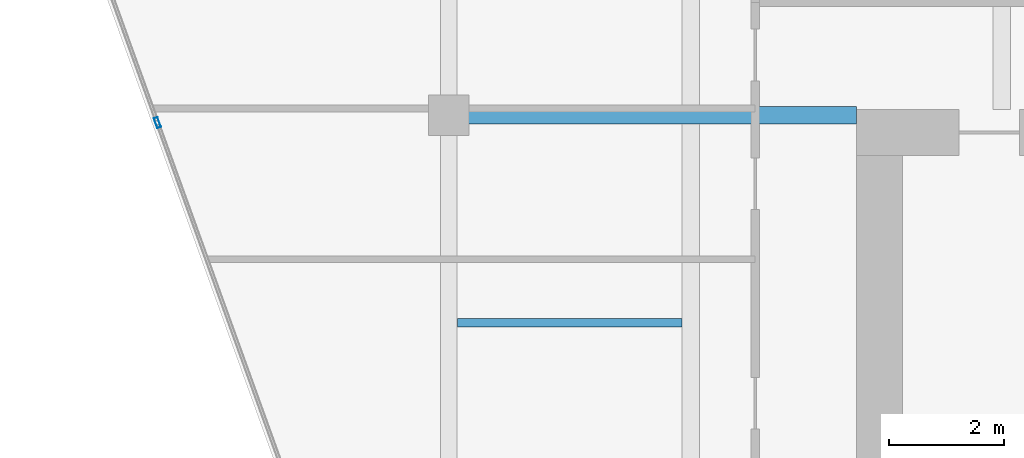
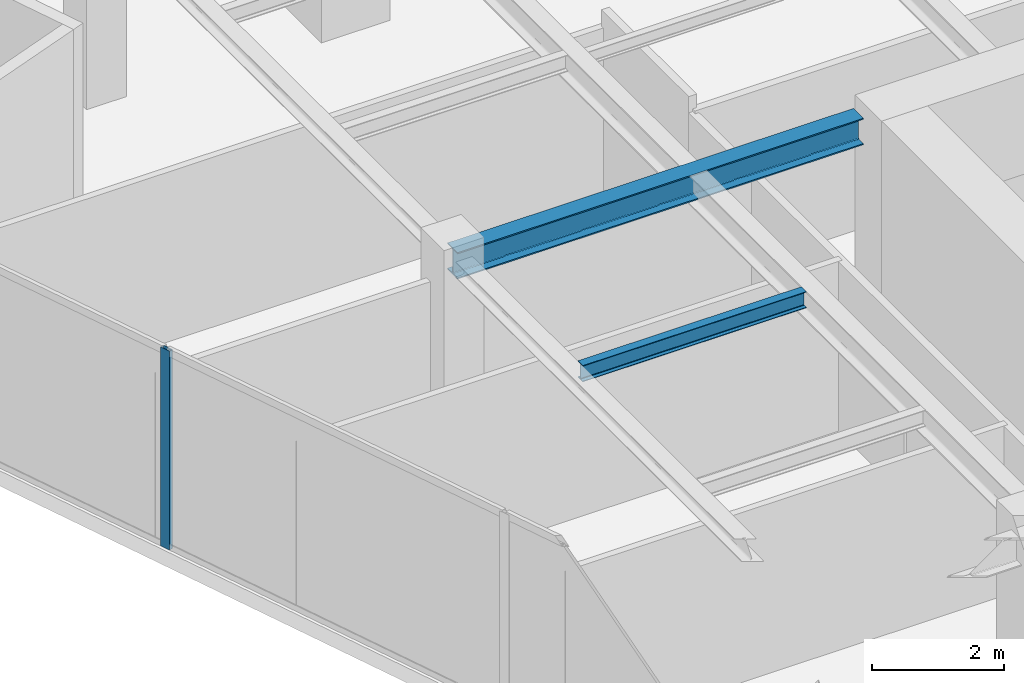
# One storey, part 5 of 21: 2 beams, 1 member, 1 element without a shape of its own.
"""IFC4 building model written with IfcOpenShell, lengths in metres."""

from ifc_helpers import new_model, si_unit, direction, frame, origin, origin_2d, place, context, subcontext, project, spatial, hollow_rectangle, i_section, extrude, source, transform, mapped, material, material_profile, profile_set, type_object, type_shapes, element, aggregate, save


model = new_model("IFC4")

# Units and contexts
model_context = context("Model", 3, precision=1e-05, world=origin(), true_north=direction((0.0, 1.0)))
body_context = subcontext(model_context, "Body", "Model", "MODEL_VIEW")
ifc_project = project(units=[si_unit("LENGTHUNIT", "METRE"), si_unit("AREAUNIT", "SQUARE_METRE"), si_unit("VOLUMEUNIT", "CUBIC_METRE"), si_unit("PLANEANGLEUNIT", "RADIAN"), si_unit("MASSUNIT", "GRAM", prefix="KILO")], contexts=[model_context])

# Site, building, storey
site_placement = place(None, origin())
site = spatial("IfcSite", under=ifc_project, at=site_placement, CompositionType="ELEMENT")
building_placement = place(site_placement, origin())
building = spatial("IfcBuilding", under=site, at=building_placement, Name="Krantzveldt Concourse Tower", CompositionType="ELEMENT")
storey_placement = place(building_placement, frame((0.0, 0.0, 335.60009765625)))
storey = spatial("IfcBuildingStorey", under=building, at=storey_placement, Name="L82", CompositionType="ELEMENT", Elevation=335.60009765625)

# Beams
ifc_material_1 = material(Name="Steel S355JR", Category="steel")
ifc_material_profile_1 = material_profile(ifc_material_1, i_section(OverallWidth=0.300048828125, OverallDepth=0.489990234375, WebThickness=0.011962890625, FlangeThickness=0.02294921875, FilletRadius=0.027099609375, at=origin_2d()), Name="Steel S355JR", Category="steel")
ifc_profile_set_1 = profile_set([ifc_material_profile_1], Name="Steel S355JR - HEA 500")
beam_type_1 = type_object("IfcBeamType", Name="BM-B-HEA500", PredefinedType="BEAM", material=ifc_profile_set_1)
shared_shape_1 = source(origin(), body_context, "Body", "SweptSolid", [
    extrude(i_section(OverallWidth=0.300048828125, OverallDepth=0.489990234375, WebThickness=0.011962890625, FlangeThickness=0.02294921875, FilletRadius=0.027099609375, at=origin_2d()), origin(), (0.0, 0.0, 1.0), 7.080078125),
])
type_shapes(beam_type_1, [shared_shape_1])
beam_1_placement = place(storey_placement, frame((21.0, 26.699951171875, 3.4248046875), z_axis=(1.0, 0.0, 0.0), x_axis=(0.0, 1.0, 0.0)))
element("IfcBeam", 1, at=beam_1_placement, inside=storey, type_object=beam_type_1, Name="L82 Tower Girder BG-CW2", PredefinedType="BEAM", context=body_context, shape_type="MappedRepresentation", body=[
    mapped(shared_shape_1, transform((0.0, 0.0, 0.0), x_axis=(1.0, 0.0, 0.0), y_axis=(0.0, 1.0, 0.0), z_axis=(0.0, 0.0, 1.0), scale=1.0)),
])
ifc_material_profile_2 = material_profile(ifc_material_1, i_section(OverallWidth=0.14990234375, OverallDepth=0.300048828125, WebThickness=0.007080078125, FlangeThickness=0.0107421875, FilletRadius=0.014892578125, at=origin_2d()), Name="Steel S355JR", Category="steel")
ifc_profile_set_2 = profile_set([ifc_material_profile_2], Name="Steel S355JR - IPE 300")
beam_type_2 = type_object("IfcBeamType", Name="BM-J-IPE300", PredefinedType="JOIST", material=ifc_profile_set_2)
shared_shape_2 = source(origin(), body_context, "Body", "SweptSolid", [
    extrude(i_section(OverallWidth=0.14990234375, OverallDepth=0.300048828125, WebThickness=0.007080078125, FlangeThickness=0.0107421875, FilletRadius=0.014892578125, at=origin_2d()), origin(), (0.0, 0.0, 1.0), 3.900146484375),
])
type_shapes(beam_type_2, [shared_shape_2])
beam_2_placement = place(storey_placement, frame((21.14990234375, 23.10009765625, 3.52001953125), z_axis=(1.0, 0.0, 0.0), x_axis=(0.0, 1.0, 0.0)))
element("IfcBeam", 2, at=beam_2_placement, inside=storey, type_object=beam_type_2, Name="L82 Secondary Floor Joist JW-2", PredefinedType="JOIST", context=body_context, shape_type="MappedRepresentation", body=[
    mapped(shared_shape_2, transform((0.0, 0.0, 0.0), x_axis=(1.0, 0.0, 0.0), y_axis=(0.0, 1.0, 0.0), z_axis=(0.0, 0.0, 1.0), scale=1.0)),
])

# Curtain wall, member
ifc_material_2 = material(Name="Anodised aluminium 6063-T6", Category="aluminium")
curtain_wall_type = type_object("IfcCurtainWallType", Name="CW4", PredefinedType="USERDEFINED", material=ifc_material_2)
curtain_wall_placement = place(storey_placement, origin())
curtain_wall = element("IfcCurtainWall", 3, at=curtain_wall_placement, inside=storey, type_object=curtain_wall_type, Name="CW-L82-F04", ObjectType="UNITISED CURTAIN WALL", PredefinedType="USERDEFINED")
ifc_material_profile_3 = material_profile(ifc_material_2, hollow_rectangle(XDim=0.070068359375, YDim=0.179931640625, WallThickness=0.0048828125, at=origin_2d()), Name="Anodised aluminium 6063-T6", Category="aluminium")
ifc_profile_set_3 = profile_set([ifc_material_profile_3], Name="Anodised aluminium 6063-T6 - ALU-MULL 180x70x5")
member_type = type_object("IfcMemberType", Name="CW-MUL-180", PredefinedType="MULLION", material=ifc_profile_set_3)
shared_shape_3 = source(origin(), body_context, "Body", "SweptSolid", [
    extrude(hollow_rectangle(XDim=0.070068359375, YDim=0.179931640625, WallThickness=0.0048828125, at=origin_2d()), origin(), (0.0, 0.0, 1.0), 3.669921875),
])
type_shapes(member_type, [shared_shape_3])
member_placement = place(storey_placement, frame((15.9384765625, 26.572021484375, 0.0), z_axis=(0.0, 0.0, 1.0), x_axis=(0.940436624478, 0.339969050563, 0.0)))
member = element("IfcMember", 4, at=member_placement, type_object=member_type, Name="CW-Z56 mullion 2", PredefinedType="MULLION", context=body_context, shape_type="MappedRepresentation", body=[
    mapped(shared_shape_3, transform((0.0, 0.0, 0.0), x_axis=(1.0, 0.0, 0.0), y_axis=(0.0, 1.0, 0.0), z_axis=(0.0, 0.0, 1.0), scale=1.0)),
])
aggregate(curtain_wall, [member])

save(model, "model.ifc")
